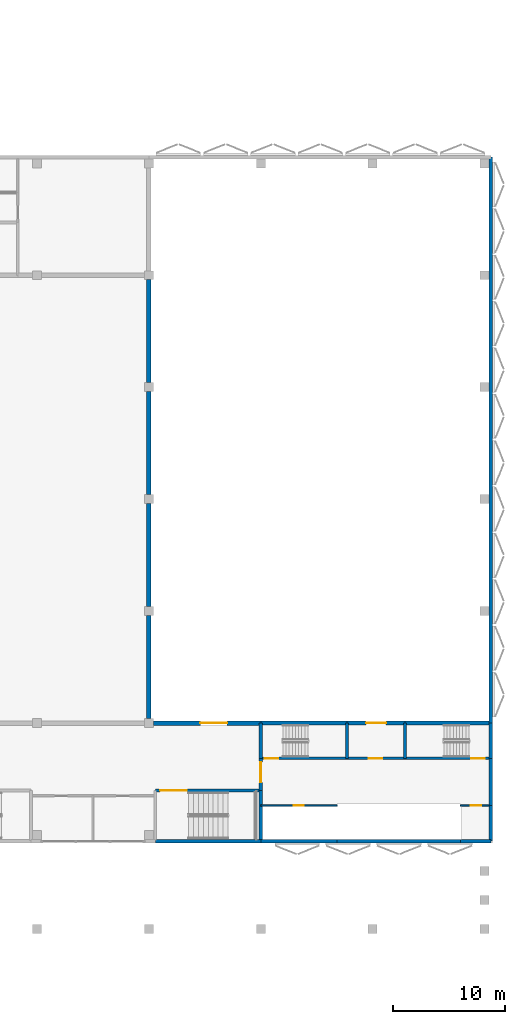
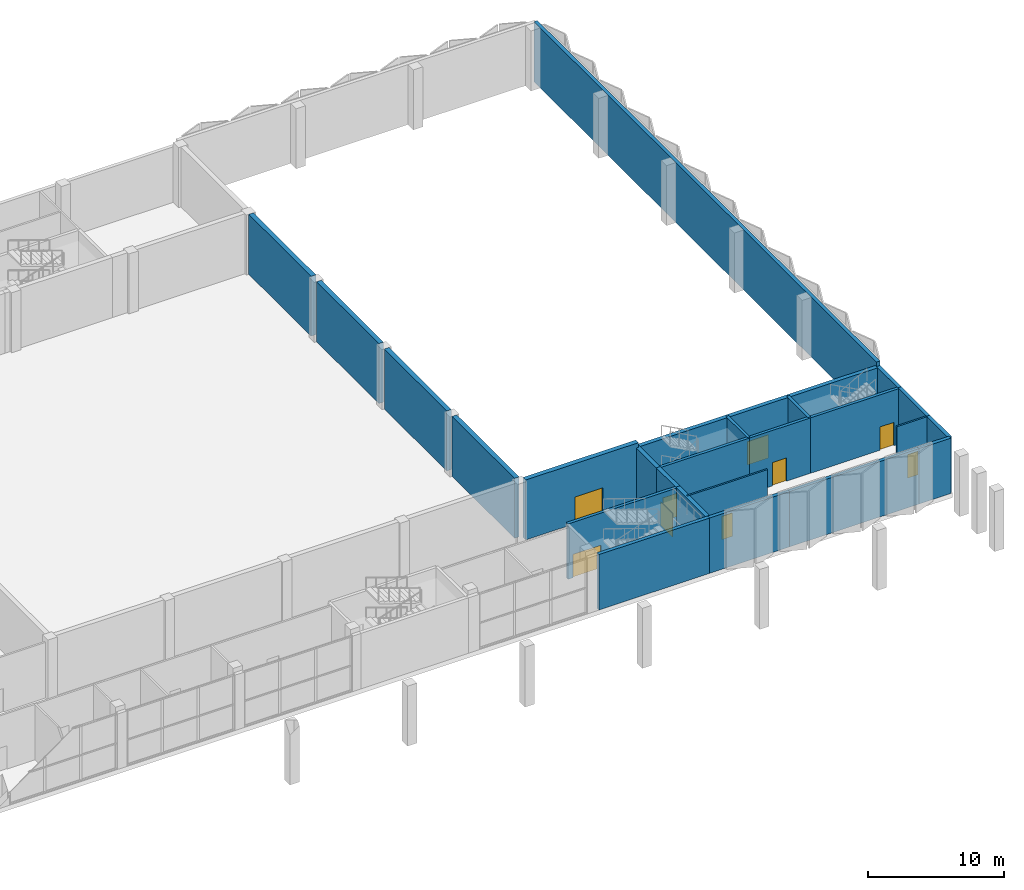
# One storey, part 15 of 35: 27 walls, 9 doors, 9 openings.
"""IFC4 building model written with IfcOpenShell, lengths in metres."""

from ifc_helpers import new_model, si_unit, direction, frame, frame_2d, origin, place, context, subcontext, project, spatial, rectangle, extrude, material, layer, layer_set, type_object, element, fill, save


model = new_model("IFC4")

# Units and contexts
model_context = context("Model", 3, precision=1e-05, world=origin(), true_north=direction((0.0, 1.0)))
body_context = subcontext(model_context, "Body", "Model", "MODEL_VIEW")
ifc_project = project(units=[si_unit("LENGTHUNIT", "METRE"), si_unit("AREAUNIT", "SQUARE_METRE"), si_unit("VOLUMEUNIT", "CUBIC_METRE"), si_unit("PLANEANGLEUNIT", "RADIAN"), si_unit("MASSUNIT", "GRAM", prefix="KILO")], contexts=[model_context])

# Site, building, storey
site_placement = place(None, origin())
site = spatial("IfcSite", under=ifc_project, at=site_placement, CompositionType="ELEMENT")
building_placement = place(site_placement, origin())
building = spatial("IfcBuilding", under=site, at=building_placement, Name="Jabali Bay Hotel Tower and Convention Centre", CompositionType="ELEMENT")
storey_placement = place(building_placement, frame((0.0, 0.0, 15.0)))
storey = spatial("IfcBuildingStorey", under=building, at=storey_placement, Name="L02", CompositionType="ELEMENT", Elevation=15.0)

# Wall
ifc_material_1 = material(Name="Concrete C60", Category="concrete")
ifc_layer_1 = layer(ifc_material_1, 0.35009765625)
ifc_layer_set_1 = layer_set([ifc_layer_1], Name="Concrete C60")
wall_type_1 = type_object("IfcWallType", Name="CC Core Wall 350", PredefinedType="SHEAR", material=ifc_layer_set_1)
wall_1_placement = place(storey_placement, frame((230.699951171875, 60.0, 0.0), z_axis=(0.0, 0.0, 1.0), x_axis=(1.0, 0.0, 0.0)))
element("IfcWall", 1, at=wall_1_placement, inside=storey, type_object=wall_type_1, Name="CC east core wall", PredefinedType="SHEAR", context=body_context, shape_type="SweptSolid", body=[
    extrude(rectangle(XDim=7.699951171875, YDim=0.35009765625, at=frame_2d((3.85009765625, 0.0))), origin(), (0.0, 0.0, 1.0), 4.989990234375),
])

# Wall, opening, door
wall_2_placement = place(storey_placement, frame((243.574951171875, 60.0, 0.0), z_axis=(0.0, 0.0, 1.0), x_axis=(-1.0, 0.0, 0.0)))
wall_2 = element("IfcWall", 2, at=wall_2_placement, inside=storey, type_object=wall_type_1, Name="CC east core wall", PredefinedType="SHEAR", context=body_context, shape_type="SweptSolid", body=[
    extrude(rectangle(XDim=5.175048828125, YDim=0.35009765625, at=frame_2d((2.58740234375, 0.0))), origin(), (0.0, 0.0, 1.0), 4.989990234375),
])
opening_1_placement = place(wall_2_placement, frame((1.675048828125, 0.0, 0.0)))
opening_1 = element("IfcOpeningElement", 3, at=opening_1_placement, cuts=wall_2, Name="Opening CC-D127", PredefinedType="OPENING", context=body_context, shape_type="SweptSolid", body=[
    extrude(rectangle(XDim=1.800048828125, YDim=2.10009765625, at=frame_2d((0.89990234375, 1.050048828125))), frame((0.0, 0.185546875, 0.0), z_axis=(0.0, -1.0, 0.0), x_axis=(1.0, 0.0, 0.0)), (0.0, 0.0, 1.0), 0.37109375),
])
ifc_material_2 = material(Name="Timber and steel door set", Category="steel")
door_type_1 = type_object("IfcDoorType", Name="CC Double Door 1800x2100", OperationType="NOTDEFINED", PredefinedType="DOOR", material=ifc_material_2)
door_1_placement = place(opening_1_placement, origin())
door_1 = element("IfcDoor", 4, at=door_1_placement, inside=storey, type_object=door_type_1, Name="CC door CC-D127", OperationType="DOUBLE_DOOR_SINGLE_SWING", OverallHeight=2.10009765625, OverallWidth=1.800048828125, PredefinedType="DOOR", context=body_context, shape_type="SweptSolid", body=[
    extrude(rectangle(XDim=1.800048828125, YDim=2.10009765625, at=frame_2d((0.89990234375, 1.050048828125))), frame((0.0, 0.02490234375, 0.0), z_axis=(0.0, -1.0, 0.0), x_axis=(1.0, 0.0, 0.0)), (0.0, 0.0, 1.0), 0.050048828125),
])
fill(opening_1, door_1)

# Walls
wall_3_placement = place(storey_placement, frame((243.574951171875, 60.0, 0.0), z_axis=(0.0, 0.0, 1.0), x_axis=(1.0, 0.0, 0.0)))
element("IfcWall", 5, at=wall_3_placement, inside=storey, type_object=wall_type_1, Name="CC east core wall", PredefinedType="SHEAR", context=body_context, shape_type="SweptSolid", body=[
    extrude(rectangle(XDim=7.525146484375, YDim=0.35009765625, at=frame_2d((3.7626953125, 0.0))), origin(), (0.0, 0.0, 1.0), 4.989990234375),
])
wall_4_placement = place(storey_placement, frame((230.699951171875, 49.60009765625, 0.0), z_axis=(0.0, 0.0, 1.0), x_axis=(0.0, 1.0, 0.0)))
element("IfcWall", 6, at=wall_4_placement, inside=storey, type_object=wall_type_1, Name="CC east core wall", PredefinedType="SHEAR", context=body_context, shape_type="SweptSolid", body=[
    extrude(rectangle(XDim=4.375, YDim=0.35009765625, at=frame_2d((2.1875, 0.0))), origin(), (0.0, 0.0, 1.0), 4.989990234375),
])

# Wall, opening, door
wall_5_placement = place(storey_placement, frame((230.699951171875, 53.97509765625, 0.0), z_axis=(0.0, 0.0, 1.0), x_axis=(0.0, 1.0, 0.0)))
wall_5 = element("IfcWall", 7, at=wall_5_placement, inside=storey, type_object=wall_type_1, Name="CC east core wall", PredefinedType="SHEAR", context=body_context, shape_type="SweptSolid", body=[
    extrude(rectangle(XDim=2.875, YDim=0.35009765625, at=frame_2d((1.4375, 0.0))), origin(), (0.0, 0.0, 1.0), 4.989990234375),
])
opening_2_placement = place(wall_5_placement, frame((0.72509765625, 0.0, 0.0)))
opening_2 = element("IfcOpeningElement", 8, at=opening_2_placement, cuts=wall_5, Name="Opening CC-D046", PredefinedType="OPENING", context=body_context, shape_type="SweptSolid", body=[
    extrude(rectangle(XDim=1.800048828125, YDim=2.10009765625, at=frame_2d((0.89990234375, 1.050048828125))), frame((0.0, 0.185546875, 0.0), z_axis=(0.0, -1.0, 0.0), x_axis=(1.0, 0.0, 0.0)), (0.0, 0.0, 1.0), 0.37109375),
])
door_2_placement = place(opening_2_placement, origin())
door_2 = element("IfcDoor", 9, at=door_2_placement, inside=storey, type_object=door_type_1, Name="CC door CC-D046", OperationType="DOUBLE_DOOR_SINGLE_SWING", OverallHeight=2.10009765625, OverallWidth=1.800048828125, PredefinedType="DOOR", context=body_context, shape_type="SweptSolid", body=[
    extrude(rectangle(XDim=1.800048828125, YDim=2.10009765625, at=frame_2d((0.89990234375, 1.050048828125))), frame((0.0, 0.02490234375, 0.0), z_axis=(0.0, -1.0, 0.0), x_axis=(1.0, 0.0, 0.0)), (0.0, 0.0, 1.0), 0.050048828125),
])
fill(opening_2, door_2)

# Walls
wall_6_placement = place(storey_placement, frame((230.699951171875, 56.85009765625, 0.0), z_axis=(0.0, 0.0, 1.0), x_axis=(0.0, 1.0, 0.0)))
element("IfcWall", 10, at=wall_6_placement, inside=storey, type_object=wall_type_1, Name="CC east core wall", PredefinedType="SHEAR", context=body_context, shape_type="SweptSolid", body=[
    extrude(rectangle(XDim=3.14990234375, YDim=0.35009765625, at=frame_2d((1.574951171875, 0.0))), origin(), (0.0, 0.0, 1.0), 4.989990234375),
])
ifc_material_3 = material(Name="Concrete C40", Category="concrete")
ifc_layer_2 = layer(ifc_material_3, 0.300048828125)
ifc_layer_set_2 = layer_set([ifc_layer_2], Name="Concrete C40")
wall_type_2 = type_object("IfcWallType", Name="CC External Wall 300", PredefinedType="SOLIDWALL", material=ifc_layer_set_2)
wall_7_placement = place(storey_placement, frame((251.25, 60.0, 0.0), z_axis=(0.0, 0.0, 1.0), x_axis=(0.0, 1.0, 0.0)))
element("IfcWall", 11, at=wall_7_placement, inside=storey, type_object=wall_type_2, Name="CC plenary hall external wall", PredefinedType="SOLIDWALL", context=body_context, shape_type="SweptSolid", body=[
    extrude(rectangle(XDim=50.550048828125, YDim=0.300048828125, at=frame_2d((25.27490234375, 0.0))), origin(), (0.0, 0.0, 1.0), 5.39990234375),
])
wall_8_placement = place(storey_placement, frame((248.52490234375, 49.449951171875, 0.0), z_axis=(0.0, 0.0, 1.0), x_axis=(1.0, 0.0, 0.0)))
element("IfcWall", 12, at=wall_8_placement, inside=storey, type_object=wall_type_2, Name="CC wall 232", PredefinedType="SOLIDWALL", context=body_context, shape_type="SweptSolid", body=[
    extrude(rectangle(XDim=2.72509765625, YDim=0.300048828125, at=frame_2d((1.362548828125, 0.0))), origin(), (0.0, 0.0, 1.0), 4.989990234375),
])
wall_9_placement = place(storey_placement, frame((251.25, 49.449951171875, 0.0), z_axis=(0.0, 0.0, 1.0), x_axis=(0.0, 1.0, 0.0)))
element("IfcWall", 13, at=wall_9_placement, inside=storey, type_object=wall_type_2, Name="CC wall 234", PredefinedType="SOLIDWALL", context=body_context, shape_type="SweptSolid", body=[
    extrude(rectangle(XDim=3.175048828125, YDim=0.300048828125, at=frame_2d((1.58740234375, 0.0))), origin(), (0.0, 0.0, 1.0), 4.989990234375),
])
wall_10_placement = place(storey_placement, frame((230.699951171875, 49.449951171875, 0.0), z_axis=(0.0, 0.0, 1.0), x_axis=(1.0, 0.0, 0.0)))
element("IfcWall", 14, at=wall_10_placement, inside=storey, type_object=wall_type_2, Name="CC wall 235", PredefinedType="SOLIDWALL", context=body_context, shape_type="SweptSolid", body=[
    extrude(rectangle(XDim=6.824951171875, YDim=0.300048828125, at=frame_2d((3.41259765625, 0.0))), origin(), (0.0, 0.0, 1.0), 4.989990234375),
])
wall_11_placement = place(storey_placement, frame((221.27490234375, 49.449951171875, 0.0), z_axis=(0.0, 0.0, 1.0), x_axis=(1.0, 0.0, 0.0)))
element("IfcWall", 15, at=wall_11_placement, inside=storey, type_object=wall_type_2, Name="CC wall 301", PredefinedType="SOLIDWALL", context=body_context, shape_type="SweptSolid", body=[
    extrude(rectangle(XDim=9.425048828125, YDim=0.300048828125, at=frame_2d((4.71240234375, 0.0))), origin(), (0.0, 0.0, 1.0), 4.989990234375),
])
wall_12_placement = place(storey_placement, frame((237.52490234375, 49.449951171875, 0.0), z_axis=(0.0, 0.0, 1.0), x_axis=(1.0, 0.0, 0.0)))
element("IfcWall", 16, at=wall_12_placement, inside=storey, type_object=wall_type_2, Name="CC wall 302", PredefinedType="SOLIDWALL", context=body_context, shape_type="SweptSolid", body=[
    extrude(rectangle(XDim=11.0, YDim=0.300048828125, at=frame_2d((5.5, 0.0))), origin(), (0.0, 0.0, 1.0), 4.989990234375),
])
wall_13_placement = place(storey_placement, frame((251.25, 52.625, 0.0), z_axis=(0.0, 0.0, 1.0), x_axis=(0.0, 1.0, 0.0)))
element("IfcWall", 17, at=wall_13_placement, inside=storey, type_object=wall_type_2, Name="CC wall 305", PredefinedType="SOLIDWALL", context=body_context, shape_type="SweptSolid", body=[
    extrude(rectangle(XDim=4.22509765625, YDim=0.300048828125, at=frame_2d((2.112548828125, 0.0))), origin(), (0.0, 0.0, 1.0), 4.989990234375),
])
wall_14_placement = place(storey_placement, frame((251.25, 56.85009765625, 0.0), z_axis=(0.0, 0.0, 1.0), x_axis=(0.0, 1.0, 0.0)))
element("IfcWall", 18, at=wall_14_placement, inside=storey, type_object=wall_type_2, Name="CC wall 306", PredefinedType="SOLIDWALL", context=body_context, shape_type="SweptSolid", body=[
    extrude(rectangle(XDim=3.14990234375, YDim=0.300048828125, at=frame_2d((1.574951171875, 0.0))), origin(), (0.0, 0.0, 1.0), 4.989990234375),
])
ifc_layer_3 = layer(ifc_material_3, 0.39990234375)
ifc_layer_set_3 = layer_set([ifc_layer_3], Name="Concrete C40")
wall_type_3 = type_object("IfcWallType", Name="CC Hall Wall 400", PredefinedType="SHEAR", material=ifc_layer_set_3)
for number, where, z_axis, x_axis, name in (
    (19, (220.699951171875, 60.39990234375, 0.0), (0.0, 0.0, 1.0), (0.0, 1.0, 0.0), "CC plenary hall wall"),
    (20, (220.699951171875, 70.39990234375, 0.0), (0.0, 0.0, 1.0), (0.0, 1.0, 0.0), "CC plenary hall wall"),
    (21, (220.699951171875, 80.39990234375, 0.0), (0.0, 0.0, 1.0), (0.0, 1.0, 0.0), "CC plenary hall wall"),
    (22, (220.699951171875, 90.39990234375, 0.0), (0.0, 0.0, 1.0), (0.0, 1.0, 0.0), "CC plenary hall wall"),
):
    element("IfcWall", number, at=place(storey_placement, frame(where, z_axis=z_axis, x_axis=x_axis)), inside=storey, type_object=wall_type_3, Name=name, PredefinedType="SHEAR", context=body_context, shape_type="SweptSolid", body=[
        extrude(rectangle(XDim=9.2001953125, YDim=0.39990234375, at=frame_2d((4.60009765625, 0.0))), origin(), (0.0, 0.0, 1.0), 5.39990234375),
    ])

# Wall, opening, door
wall_15_placement = place(storey_placement, frame((230.699951171875, 60.0, 0.0), z_axis=(0.0, 0.0, 1.0), x_axis=(-1.0, 0.0, 0.0)))
wall_15 = element("IfcWall", 23, at=wall_15_placement, inside=storey, type_object=wall_type_3, Name="CC plenary hall wall", PredefinedType="SHEAR", context=body_context, shape_type="SweptSolid", body=[
    extrude(rectangle(XDim=9.599853515625, YDim=0.39990234375, at=frame_2d((4.7998046875, 0.0))), origin(), (0.0, 0.0, 1.0), 5.39990234375),
])
opening_3_placement = place(wall_15_placement, frame((3.0, 0.0, 0.0)))
opening_3 = element("IfcOpeningElement", 24, at=opening_3_placement, cuts=wall_15, Name="Opening CC-D126", PredefinedType="OPENING", context=body_context, shape_type="SweptSolid", body=[
    extrude(rectangle(XDim=2.39990234375, YDim=2.39990234375, at=frame_2d((1.199951171875, 1.199951171875))), frame((0.0, 0.21044921875, 0.0), z_axis=(0.0, -1.0, 0.0), x_axis=(1.0, 0.0, 0.0)), (0.0, 0.0, 1.0), 0.4208984375),
])
door_type_2 = type_object("IfcDoorType", Name="CC Hall Double Door 2400x2400", OperationType="NOTDEFINED", PredefinedType="DOOR", material=ifc_material_2)
door_3_placement = place(opening_3_placement, origin())
door_3 = element("IfcDoor", 25, at=door_3_placement, inside=storey, type_object=door_type_2, Name="CC door CC-D126", OperationType="DOUBLE_DOOR_SINGLE_SWING", OverallHeight=2.39990234375, OverallWidth=2.39990234375, PredefinedType="DOOR", context=body_context, shape_type="SweptSolid", body=[
    extrude(rectangle(XDim=2.39990234375, YDim=2.39990234375, at=frame_2d((1.199951171875, 1.199951171875))), frame((0.0, 0.02490234375, 0.0), z_axis=(0.0, -1.0, 0.0), x_axis=(1.0, 0.0, 0.0)), (0.0, 0.0, 1.0), 0.050048828125),
])
fill(opening_3, door_3)

ifc_material_4 = material(Name="Blockwork M10", Category="masonry")
ifc_layer_4 = layer(ifc_material_4, 0.14990234375)
ifc_layer_set_4 = layer_set([ifc_layer_4], Name="Blockwork M10")
wall_type_4 = type_object("IfcWallType", Name="CC Partition 150", PredefinedType="PARTITIONING", material=ifc_layer_set_4)
wall_16_placement = place(storey_placement, frame((251.10009765625, 52.625, 0.0), z_axis=(0.0, 0.0, 1.0), x_axis=(-1.0, 0.0, 0.0)))
wall_16 = element("IfcWall", 26, at=wall_16_placement, inside=storey, type_object=wall_type_4, Name="CC wall 233", PredefinedType="PARTITIONING", context=body_context, shape_type="SweptSolid", body=[
    extrude(rectangle(XDim=2.5751953125, YDim=0.14990234375, at=frame_2d((1.28759765625, 0.0))), origin(), (0.0, 0.0, 1.0), 4.989990234375),
])
opening_4_placement = place(wall_16_placement, frame((0.72509765625, 0.0, 0.0)))
opening_4 = element("IfcOpeningElement", 27, at=opening_4_placement, cuts=wall_16, Name="Opening CC-D200", PredefinedType="OPENING", context=body_context, shape_type="SweptSolid", body=[
    extrude(rectangle(XDim=0.89990234375, YDim=2.10009765625, at=frame_2d((0.449951171875, 1.050048828125))), frame((0.0, 0.08544921875, 0.0), z_axis=(0.0, -1.0, 0.0), x_axis=(1.0, 0.0, 0.0)), (0.0, 0.0, 1.0), 0.1708984375),
])
door_type_3 = type_object("IfcDoorType", Name="CC Riser Door 900x2100", OperationType="NOTDEFINED", PredefinedType="DOOR", material=ifc_material_2)
door_4_placement = place(opening_4_placement, origin())
door_4 = element("IfcDoor", 28, at=door_4_placement, inside=storey, type_object=door_type_3, Name="CC door CC-D200", OperationType="SINGLE_SWING_RIGHT", OverallHeight=2.10009765625, OverallWidth=0.89990234375, PredefinedType="DOOR", context=body_context, shape_type="SweptSolid", body=[
    extrude(rectangle(XDim=0.89990234375, YDim=2.10009765625, at=frame_2d((0.449951171875, 1.050048828125))), frame((0.0, 0.02490234375, 0.0), z_axis=(0.0, -1.0, 0.0), x_axis=(1.0, 0.0, 0.0)), (0.0, 0.0, 1.0), 0.050048828125),
])
fill(opening_4, door_4)

wall_17_placement = place(storey_placement, frame((237.52490234375, 52.625, 0.0), z_axis=(0.0, 0.0, 1.0), x_axis=(-1.0, 0.0, 0.0)))
wall_17 = element("IfcWall", 29, at=wall_17_placement, inside=storey, type_object=wall_type_4, Name="CC wall 236", PredefinedType="PARTITIONING", context=body_context, shape_type="SweptSolid", body=[
    extrude(rectangle(XDim=6.824951171875, YDim=0.14990234375, at=frame_2d((3.41259765625, 0.0))), origin(), (0.0, 0.0, 1.0), 4.989990234375),
])
opening_5_placement = place(wall_17_placement, frame((2.97509765625, 0.0, 0.0)))
opening_5 = element("IfcOpeningElement", 30, at=opening_5_placement, cuts=wall_17, Name="Opening CC-D201", PredefinedType="OPENING", context=body_context, shape_type="SweptSolid", body=[
    extrude(rectangle(XDim=0.89990234375, YDim=2.10009765625, at=frame_2d((0.449951171875, 1.050048828125))), frame((0.0, 0.08544921875, 0.0), z_axis=(0.0, -1.0, 0.0), x_axis=(1.0, 0.0, 0.0)), (0.0, 0.0, 1.0), 0.1708984375),
])
door_5_placement = place(opening_5_placement, origin())
door_5 = element("IfcDoor", 31, at=door_5_placement, inside=storey, type_object=door_type_3, Name="CC door CC-D201", OperationType="SINGLE_SWING_LEFT", OverallHeight=2.10009765625, OverallWidth=0.89990234375, PredefinedType="DOOR", context=body_context, shape_type="SweptSolid", body=[
    extrude(rectangle(XDim=0.89990234375, YDim=2.10009765625, at=frame_2d((0.449951171875, 1.050048828125))), frame((0.0, 0.02490234375, 0.0), z_axis=(0.0, -1.0, 0.0), x_axis=(1.0, 0.0, 0.0)), (0.0, 0.0, 1.0), 0.050048828125),
])
fill(opening_5, door_5)

ifc_layer_5 = layer(ifc_material_3, 0.25)
ifc_layer_set_5 = layer_set([ifc_layer_5], Name="Concrete C40")
wall_type_5 = type_object("IfcWallType", Name="CC Shaft Wall 250", PredefinedType="SHEAR", material=ifc_layer_set_5)
wall_18_placement = place(storey_placement, frame((238.39990234375, 56.85009765625, 0.0), z_axis=(0.0, 0.0, 1.0), x_axis=(-1.0, 0.0, 0.0)))
wall_18 = element("IfcWall", 32, at=wall_18_placement, inside=storey, type_object=wall_type_5, Name="CC east core wall", PredefinedType="SHEAR", context=body_context, shape_type="SweptSolid", body=[
    extrude(rectangle(XDim=7.699951171875, YDim=0.25, at=frame_2d((3.85009765625, 0.0))), origin(), (0.0, 0.0, 1.0), 4.989990234375),
])
opening_6_placement = place(wall_18_placement, frame((6.125, 0.0, 0.0)))
opening_6 = element("IfcOpeningElement", 33, at=opening_6_placement, cuts=wall_18, Name="Opening CC-D194", PredefinedType="OPENING", context=body_context, shape_type="SweptSolid", body=[
    extrude(rectangle(XDim=1.199951171875, YDim=2.10009765625, at=frame_2d((0.60009765625, 1.050048828125))), frame((0.0, 0.135498046875, 0.0), z_axis=(0.0, -1.0, 0.0), x_axis=(1.0, 0.0, 0.0)), (0.0, 0.0, 1.0), 0.27099609375),
])
door_type_4 = type_object("IfcDoorType", Name="CC Stair Door 1200x2100", OperationType="NOTDEFINED", PredefinedType="DOOR", material=ifc_material_2)
door_6_placement = place(opening_6_placement, origin())
door_6 = element("IfcDoor", 34, at=door_6_placement, inside=storey, type_object=door_type_4, Name="CC door CC-D194", OperationType="SINGLE_SWING_RIGHT", OverallHeight=2.10009765625, OverallWidth=1.199951171875, PredefinedType="DOOR", context=body_context, shape_type="SweptSolid", body=[
    extrude(rectangle(XDim=1.199951171875, YDim=2.10009765625, at=frame_2d((0.60009765625, 1.050048828125))), frame((0.0, 0.02490234375, 0.0), z_axis=(0.0, -1.0, 0.0), x_axis=(1.0, 0.0, 0.0)), (0.0, 0.0, 1.0), 0.050048828125),
])
fill(opening_6, door_6)

wall_19_placement = place(storey_placement, frame((243.574951171875, 56.85009765625, 0.0), z_axis=(0.0, 0.0, 1.0), x_axis=(-1.0, 0.0, 0.0)))
wall_19 = element("IfcWall", 35, at=wall_19_placement, inside=storey, type_object=wall_type_5, Name="CC east core wall", PredefinedType="SHEAR", context=body_context, shape_type="SweptSolid", body=[
    extrude(rectangle(XDim=5.175048828125, YDim=0.25, at=frame_2d((2.58740234375, 0.0))), origin(), (0.0, 0.0, 1.0), 4.989990234375),
])
opening_7_placement = place(wall_19_placement, frame((2.02490234375, 0.0, 0.0)))
opening_7 = element("IfcOpeningElement", 36, at=opening_7_placement, cuts=wall_19, Name="Opening CC-D195", PredefinedType="OPENING", context=body_context, shape_type="SweptSolid", body=[
    extrude(rectangle(XDim=1.199951171875, YDim=2.10009765625, at=frame_2d((0.60009765625, 1.050048828125))), frame((0.0, 0.135498046875, 0.0), z_axis=(0.0, -1.0, 0.0), x_axis=(1.0, 0.0, 0.0)), (0.0, 0.0, 1.0), 0.27099609375),
])
door_type_5 = type_object("IfcDoorType", Name="CC Vestibule Door 1200x2100", OperationType="NOTDEFINED", PredefinedType="DOOR", material=ifc_material_2)
door_7_placement = place(opening_7_placement, origin())
door_7 = element("IfcDoor", 37, at=door_7_placement, inside=storey, type_object=door_type_5, Name="CC door CC-D195", OperationType="SINGLE_SWING_LEFT", OverallHeight=2.10009765625, OverallWidth=1.199951171875, PredefinedType="DOOR", context=body_context, shape_type="SweptSolid", body=[
    extrude(rectangle(XDim=1.199951171875, YDim=2.10009765625, at=frame_2d((0.60009765625, 1.050048828125))), frame((0.0, 0.02490234375, 0.0), z_axis=(0.0, -1.0, 0.0), x_axis=(1.0, 0.0, 0.0)), (0.0, 0.0, 1.0), 0.050048828125),
])
fill(opening_7, door_7)

wall_20_placement = place(storey_placement, frame((251.10009765625, 56.85009765625, 0.0), z_axis=(0.0, 0.0, 1.0), x_axis=(-1.0, 0.0, 0.0)))
wall_20 = element("IfcWall", 38, at=wall_20_placement, inside=storey, type_object=wall_type_5, Name="CC east core wall", PredefinedType="SHEAR", context=body_context, shape_type="SweptSolid", body=[
    extrude(rectangle(XDim=7.525146484375, YDim=0.25, at=frame_2d((3.7626953125, 0.0))), origin(), (0.0, 0.0, 1.0), 4.989990234375),
])
opening_8_placement = place(wall_20_placement, frame((0.39990234375, 0.0, 0.0)))
opening_8 = element("IfcOpeningElement", 39, at=opening_8_placement, cuts=wall_20, Name="Opening CC-D193", PredefinedType="OPENING", context=body_context, shape_type="SweptSolid", body=[
    extrude(rectangle(XDim=1.199951171875, YDim=2.10009765625, at=frame_2d((0.60009765625, 1.050048828125))), frame((0.0, 0.135498046875, 0.0), z_axis=(0.0, -1.0, 0.0), x_axis=(1.0, 0.0, 0.0)), (0.0, 0.0, 1.0), 0.27099609375),
])
door_8_placement = place(opening_8_placement, origin())
door_8 = element("IfcDoor", 40, at=door_8_placement, inside=storey, type_object=door_type_4, Name="CC door CC-D193", OperationType="SINGLE_SWING_LEFT", OverallHeight=2.10009765625, OverallWidth=1.199951171875, PredefinedType="DOOR", context=body_context, shape_type="SweptSolid", body=[
    extrude(rectangle(XDim=1.199951171875, YDim=2.10009765625, at=frame_2d((0.60009765625, 1.050048828125))), frame((0.0, 0.02490234375, 0.0), z_axis=(0.0, -1.0, 0.0), x_axis=(1.0, 0.0, 0.0)), (0.0, 0.0, 1.0), 0.050048828125),
])
fill(opening_8, door_8)

# Walls
for number, where, z_axis, x_axis, name in (
    (41, (243.574951171875, 56.85009765625, 0.0), (0.0, 0.0, 1.0), (0.0, 1.0, 0.0), "CC east core wall"),
    (42, (238.39990234375, 56.85009765625, 0.0), (0.0, 0.0, 1.0), (0.0, 1.0, 0.0), "CC east core wall"),
):
    element("IfcWall", number, at=place(storey_placement, frame(where, z_axis=z_axis, x_axis=x_axis)), inside=storey, type_object=wall_type_5, Name=name, PredefinedType="SHEAR", context=body_context, shape_type="SweptSolid", body=[
        extrude(rectangle(XDim=3.14990234375, YDim=0.25, at=frame_2d((1.574951171875, 0.0))), origin(), (0.0, 0.0, 1.0), 4.989990234375),
    ])

# Wall, opening, door
wall_21_placement = place(storey_placement, frame((221.27490234375, 53.97509765625, 0.0), z_axis=(0.0, 0.0, 1.0), x_axis=(1.0, 0.0, 0.0)))
wall_21 = element("IfcWall", 43, at=wall_21_placement, inside=storey, type_object=wall_type_5, Name="CC wall 424", PredefinedType="SHEAR", context=body_context, shape_type="SweptSolid", body=[
    extrude(rectangle(XDim=9.425048828125, YDim=0.25, at=frame_2d((4.71240234375, 0.0))), origin(), (0.0, 0.0, 1.0), 4.989990234375),
])
opening_9_placement = place(wall_21_placement, frame((0.425048828125, 0.0, 0.0)))
opening_9 = element("IfcOpeningElement", 44, at=opening_9_placement, cuts=wall_21, Name="Opening CC-D227", PredefinedType="OPENING", context=body_context, shape_type="SweptSolid", body=[
    extrude(rectangle(XDim=2.39990234375, YDim=2.10009765625, at=frame_2d((1.199951171875, 1.050048828125))), frame((0.0, 0.135498046875, 0.0), z_axis=(0.0, -1.0, 0.0), x_axis=(1.0, 0.0, 0.0)), (0.0, 0.0, 1.0), 0.27099609375),
])
door_type_6 = type_object("IfcDoorType", Name="CC Stair Door Pair 2400x2100", OperationType="NOTDEFINED", PredefinedType="DOOR", material=ifc_material_2)
door_9_placement = place(opening_9_placement, origin())
door_9 = element("IfcDoor", 45, at=door_9_placement, inside=storey, type_object=door_type_6, Name="CC door CC-D227", OperationType="DOUBLE_DOOR_SINGLE_SWING", OverallHeight=2.10009765625, OverallWidth=2.39990234375, PredefinedType="DOOR", context=body_context, shape_type="SweptSolid", body=[
    extrude(rectangle(XDim=2.39990234375, YDim=2.10009765625, at=frame_2d((1.199951171875, 1.050048828125))), frame((0.0, 0.02490234375, 0.0), z_axis=(0.0, -1.0, 0.0), x_axis=(1.0, 0.0, 0.0)), (0.0, 0.0, 1.0), 0.050048828125),
])
fill(opening_9, door_9)

save(model, "model.ifc")
